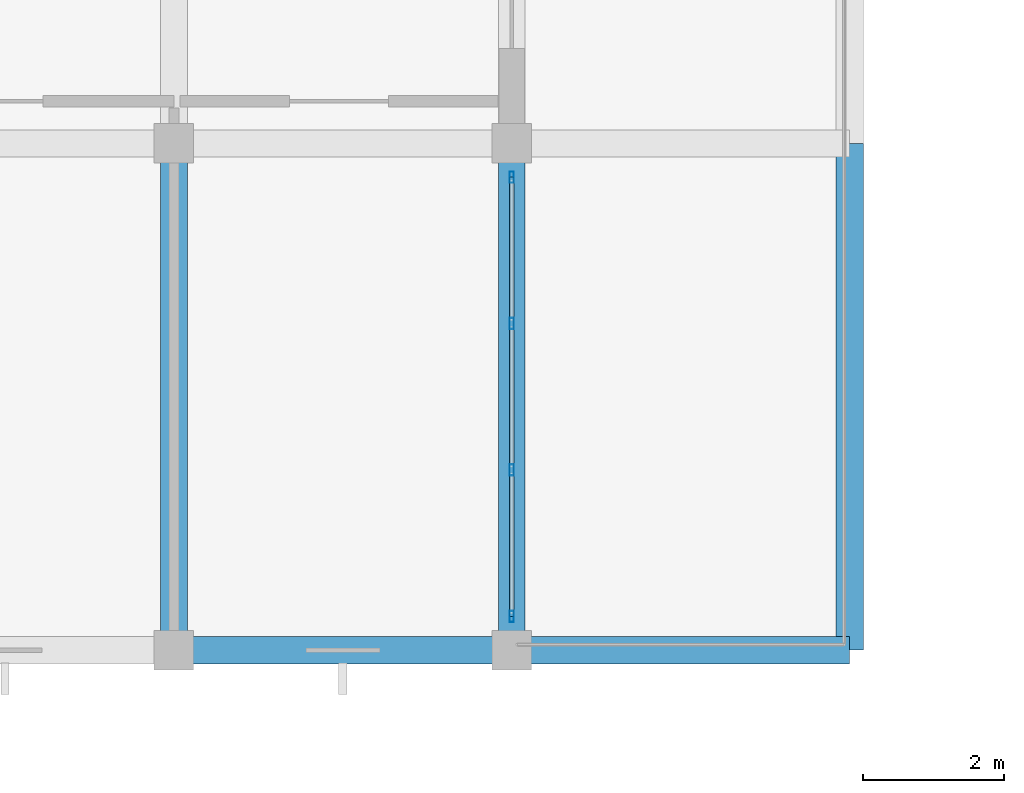
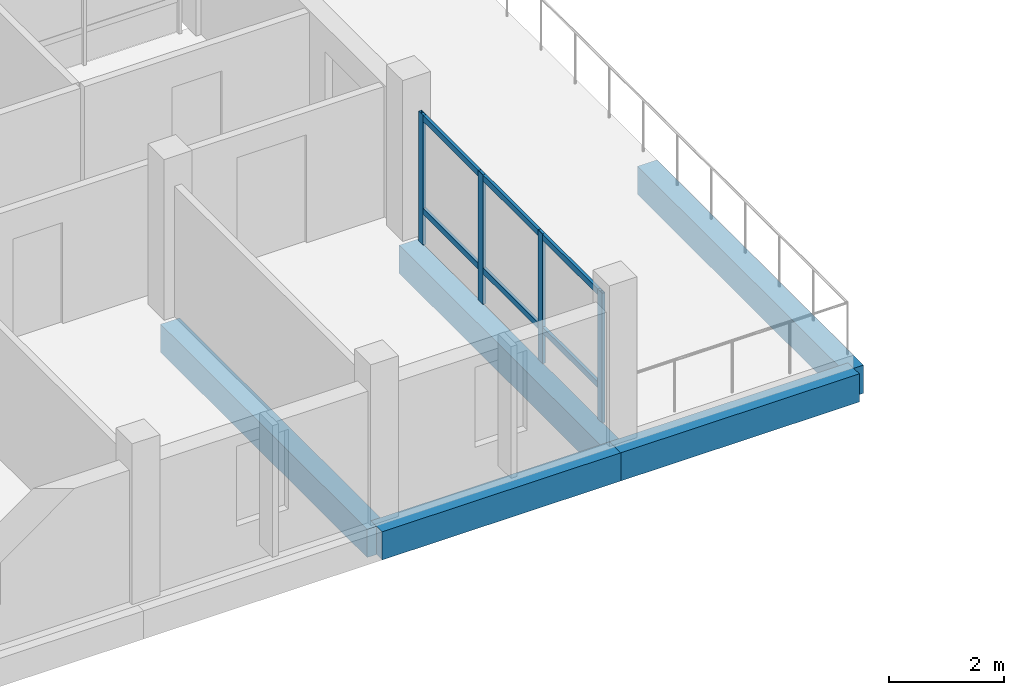
# One storey, part 8 of 84: 6 members, 5 beams, 1 element without a shape of its own.
"""IFC4 building model written with IfcOpenShell, lengths in metres."""

from ifc_helpers import new_model, si_unit, direction, frame, origin, origin_2d, place, context, subcontext, project, spatial, rectangle, hollow_rectangle, extrude, material, material_profile, profile_set, type_object, element, aggregate, save


model = new_model("IFC4")

# Units and contexts
model_context = context("Model", 3, precision=1e-05, world=origin(), true_north=direction((0.0, 1.0)))
body_context = subcontext(model_context, "Body", "Model", "MODEL_VIEW")
ifc_project = project(units=[si_unit("LENGTHUNIT", "METRE"), si_unit("AREAUNIT", "SQUARE_METRE"), si_unit("VOLUMEUNIT", "CUBIC_METRE"), si_unit("PLANEANGLEUNIT", "RADIAN"), si_unit("MASSUNIT", "GRAM", prefix="KILO")], contexts=[model_context])

# Site, building, storey
site_placement = place(None, origin())
site = spatial("IfcSite", under=ifc_project, at=site_placement, CompositionType="ELEMENT")
building_placement = place(site_placement, origin())
building = spatial("IfcBuilding", under=site, at=building_placement, Name="Zornivar Specialist Clinic", CompositionType="ELEMENT")
storey_placement = place(building_placement, frame((0.0, 0.0, 12.300048828125)))
storey = spatial("IfcBuildingStorey", under=building, at=storey_placement, Name="L03", CompositionType="ELEMENT", Elevation=12.300048828125)

# Beams
ifc_material_1 = material(Name="Concrete C30/37", Category="concrete")
ifc_material_profile_1 = material_profile(ifc_material_1, rectangle(XDim=0.3798828125, YDim=0.60009765625, at=origin_2d()), Name="RC 380x600")
ifc_profile_set_1 = profile_set([ifc_material_profile_1], Name="Concrete C30/37")
beam_type_1 = type_object("IfcBeamType", Name="BM-RC-380x600", PredefinedType="BEAM", material=ifc_profile_set_1)
for number, where, z_axis, x_axis, name in (
    (1, (33.60009765625, 0.0, -0.580078125), (0.0, 1.0, 0.0), (-1.0, 0.0, 0.0), "bm:V2:L03:y:336:0"),
    (2, (38.39990234375, 0.0, -0.580078125), (0.0, 1.0, 0.0), (-1.0, 0.0, 0.0), "bm:V2:L03:y:384:0"),
):
    element("IfcBeam", number, at=place(storey_placement, frame(where, z_axis=z_axis, x_axis=x_axis)), inside=storey, type_object=beam_type_1, Name=name, PredefinedType="BEAM", context=body_context, shape_type="SweptSolid", body=[
        extrude(rectangle(XDim=0.3798828125, YDim=0.60009765625, at=origin_2d()), origin(), (0.0, 0.0, 1.0), 7.199951171875),
    ])
ifc_material_2 = material(Name="Concrete C30/37", Category="concrete")
ifc_material_profile_2 = material_profile(ifc_material_2, rectangle(XDim=0.389892578125, YDim=0.60009765625, at=origin_2d()), Name="RC 390x600")
ifc_profile_set_2 = profile_set([ifc_material_profile_2], Name="Concrete C30/37")
beam_type_2 = type_object("IfcBeamType", Name="BM-RC-SPANDREL-390x600", PredefinedType="SPANDREL", material=ifc_profile_set_2)
beam_1_placement = place(storey_placement, frame((33.60009765625, 0.0, -0.580078125), z_axis=(1.0, 0.0, 0.0), x_axis=(0.0, 1.0, 0.0)))
element("IfcBeam", 3, at=beam_1_placement, inside=storey, type_object=beam_type_2, Name="bm:V2:L03:x:0:5", PredefinedType="SPANDREL", context=body_context, shape_type="SweptSolid", body=[
    extrude(rectangle(XDim=0.389892578125, YDim=0.60009765625, at=origin_2d()), origin(), (0.0, 0.0, 1.0), 4.7998046875),
])
beam_2_placement = place(storey_placement, frame((38.39990234375, 0.0, -0.580078125), z_axis=(1.0, 0.0, 0.0), x_axis=(0.0, 1.0, 0.0)))
element("IfcBeam", 4, at=beam_2_placement, inside=storey, type_object=beam_type_2, Name="bm:V2:L03:x:0:6", PredefinedType="SPANDREL", context=body_context, shape_type="SweptSolid", body=[
    extrude(rectangle(XDim=0.389892578125, YDim=0.60009765625, at=origin_2d()), origin(), (0.0, 0.0, 1.0), 4.800048828125),
])
beam_3_placement = place(storey_placement, frame((43.199951171875, 0.0, -0.580078125), z_axis=(0.0, 1.0, 0.0), x_axis=(-1.0, 0.0, 0.0)))
element("IfcBeam", 5, at=beam_3_placement, inside=storey, type_object=beam_type_2, Name="bm:V2:L03:y:432:0", PredefinedType="SPANDREL", context=body_context, shape_type="SweptSolid", body=[
    extrude(rectangle(XDim=0.389892578125, YDim=0.60009765625, at=origin_2d()), origin(), (0.0, 0.0, 1.0), 7.199951171875),
])

# Curtain wall, members
ifc_material_3 = material(Name="Aluminium and Low-E Glass Curtain Wall", Category="aluminium")
curtain_wall_type = type_object("IfcCurtainWallType", Name="CW-REVAK-COURT", PredefinedType="NOTDEFINED", material=ifc_material_3)
curtain_wall_placement = place(storey_placement, origin())
curtain_wall = element("IfcCurtainWall", 6, at=curtain_wall_placement, inside=storey, type_object=curtain_wall_type, Name="cw:V2:L03:06", PredefinedType="NOTDEFINED")
ifc_material_4 = material(Name="Aluminium AW-6060", Category="aluminium")
ifc_material_profile_3 = material_profile(ifc_material_4, hollow_rectangle(XDim=0.06005859375, YDim=0.159912109375, WallThickness=0.00390625, at=origin_2d()), Name="ALU 60x160x4")
ifc_profile_set_3 = profile_set([ifc_material_profile_3], Name="Aluminium AW-6060")
member_type_1 = type_object("IfcMemberType", Name="CWM-MUL-160", PredefinedType="MULLION", material=ifc_profile_set_3)
member_1_placement = place(storey_placement, frame((38.39990234375, 0.47998046875, 0.0), z_axis=(0.0, 0.0, 1.0), x_axis=(1.0, 0.0, 0.0)))
member_1 = element("IfcMember", 7, at=member_1_placement, type_object=member_type_1, Name="cw:V2:L03:06:mul:0", PredefinedType="MULLION", context=body_context, shape_type="SweptSolid", body=[
    extrude(hollow_rectangle(XDim=0.06005859375, YDim=0.159912109375, WallThickness=0.00390625, at=origin_2d()), origin(), (0.0, 0.0, 1.0), 2.760009765625),
])
member_2_placement = place(storey_placement, frame((38.39990234375, 2.56005859375, 0.0), z_axis=(0.0, 0.0, 1.0), x_axis=(1.0, 0.0, 0.0)))
member_2 = element("IfcMember", 8, at=member_2_placement, type_object=member_type_1, Name="cw:V2:L03:06:mul:1", PredefinedType="MULLION", context=body_context, shape_type="SweptSolid", body=[
    extrude(hollow_rectangle(XDim=0.06005859375, YDim=0.159912109375, WallThickness=0.00390625, at=origin_2d()), origin(), (0.0, 0.0, 1.0), 2.760009765625),
])
member_3_placement = place(storey_placement, frame((38.39990234375, 4.639892578125, 0.0), z_axis=(0.0, 0.0, 1.0), x_axis=(1.0, 0.0, 0.0)))
member_3 = element("IfcMember", 9, at=member_3_placement, type_object=member_type_1, Name="cw:V2:L03:06:mul:2", PredefinedType="MULLION", context=body_context, shape_type="SweptSolid", body=[
    extrude(hollow_rectangle(XDim=0.06005859375, YDim=0.159912109375, WallThickness=0.00390625, at=origin_2d()), origin(), (0.0, 0.0, 1.0), 2.760009765625),
])
member_4_placement = place(storey_placement, frame((38.39990234375, 6.719970703125, 0.0), z_axis=(0.0, 0.0, 1.0), x_axis=(1.0, 0.0, 0.0)))
member_4 = element("IfcMember", 10, at=member_4_placement, type_object=member_type_1, Name="cw:V2:L03:06:mul:3", PredefinedType="MULLION", context=body_context, shape_type="SweptSolid", body=[
    extrude(hollow_rectangle(XDim=0.06005859375, YDim=0.159912109375, WallThickness=0.00390625, at=origin_2d()), origin(), (0.0, 0.0, 1.0), 2.760009765625),
])
ifc_material_5 = material(Name="Aluminium AW-6060", Category="aluminium")
ifc_material_profile_4 = material_profile(ifc_material_5, hollow_rectangle(XDim=0.06005859375, YDim=0.1298828125, WallThickness=0.00390625, at=origin_2d()), Name="ALU 60x130x4")
ifc_profile_set_4 = profile_set([ifc_material_profile_4], Name="Aluminium AW-6060")
member_type_2 = type_object("IfcMemberType", Name="CWM-TRN-130", PredefinedType="USERDEFINED", material=ifc_profile_set_4)
member_5_placement = place(storey_placement, frame((38.39990234375, 0.47998046875, 0.718017578125), z_axis=(0.0, 1.0, 0.0), x_axis=(-1.0, 0.0, 0.0)))
member_5 = element("IfcMember", 11, at=member_5_placement, type_object=member_type_2, Name="cw:V2:L03:06:trn:0", ObjectType="TRANSOM", PredefinedType="USERDEFINED", context=body_context, shape_type="SweptSolid", body=[
    extrude(hollow_rectangle(XDim=0.06005859375, YDim=0.1298828125, WallThickness=0.00390625, at=origin_2d()), origin(), (0.0, 0.0, 1.0), 6.239990234375),
])
member_6_placement = place(storey_placement, frame((38.39990234375, 0.47998046875, 2.695068359375), z_axis=(0.0, 1.0, 0.0), x_axis=(-1.0, 0.0, 0.0)))
member_6 = element("IfcMember", 12, at=member_6_placement, type_object=member_type_2, Name="cw:V2:L03:06:trn:1", ObjectType="TRANSOM", PredefinedType="USERDEFINED", context=body_context, shape_type="SweptSolid", body=[
    extrude(hollow_rectangle(XDim=0.06005859375, YDim=0.1298828125, WallThickness=0.00390625, at=origin_2d()), origin(), (0.0, 0.0, 1.0), 6.239990234375),
])
aggregate(curtain_wall, [member_1, member_2, member_3, member_4, member_5, member_6])

save(model, "model.ifc")
